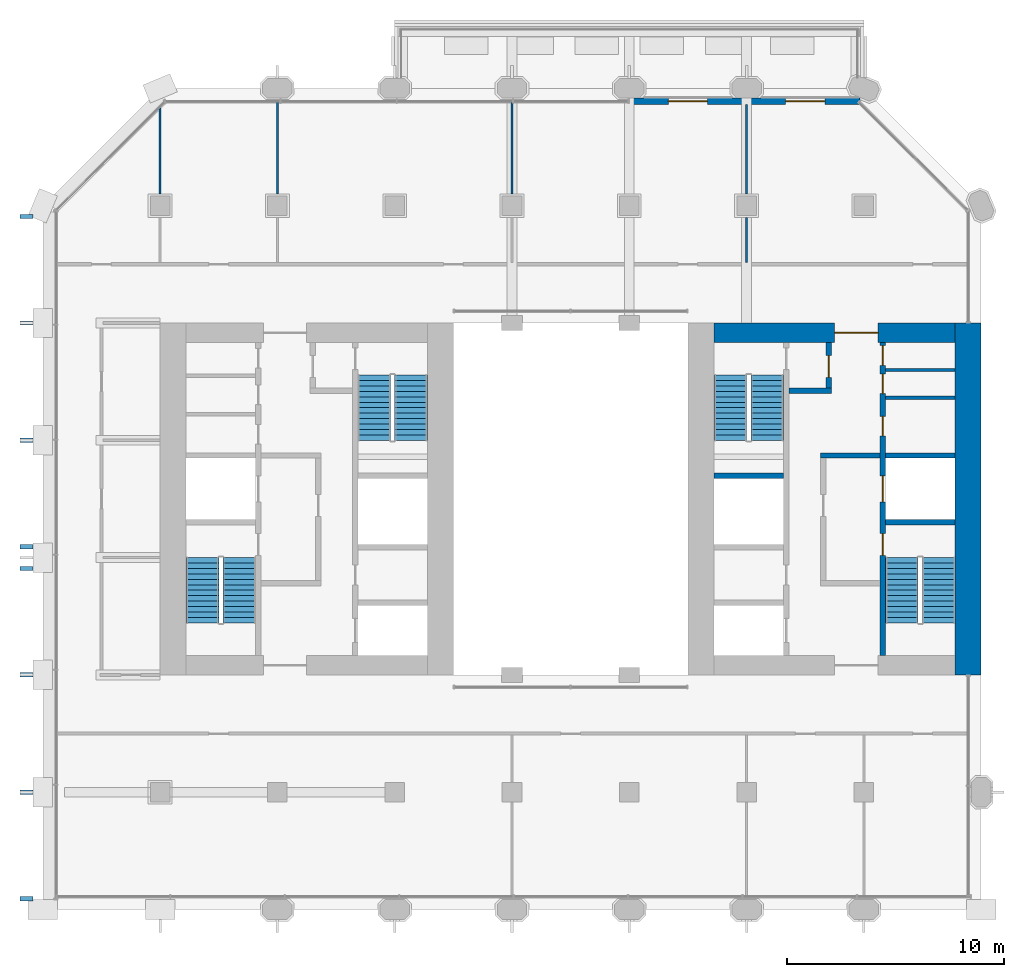
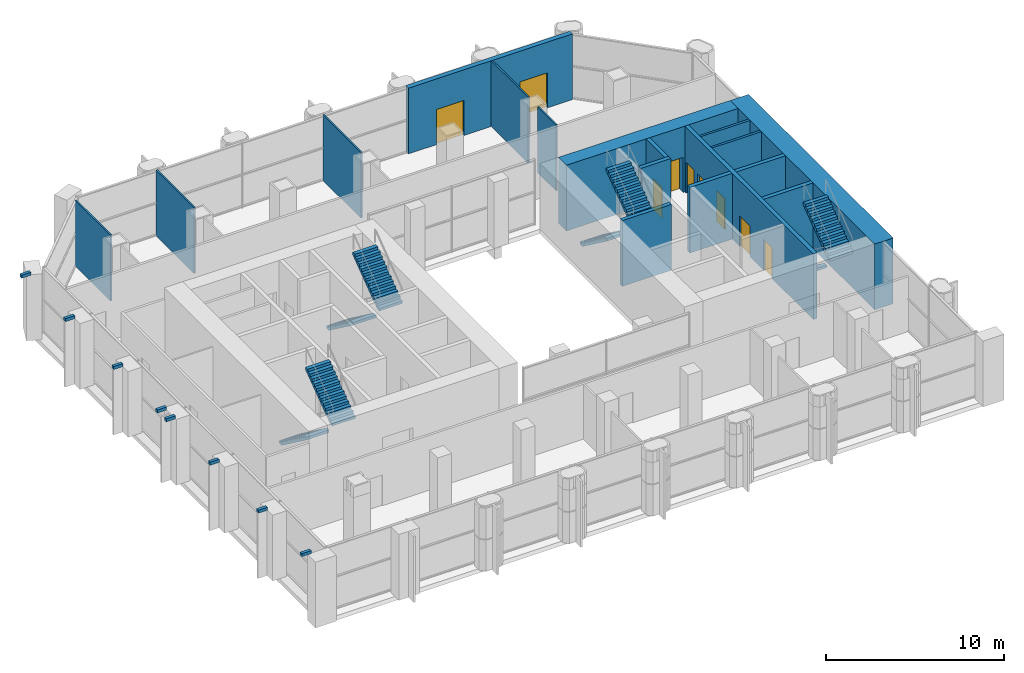
# One storey, part 12 of 15: 17 walls, 9 doors, 8 discrete accessories, 8 stair flights, 9 openings, 4 elements without a shape of their own.
"""IFC4 building model written with IfcOpenShell, lengths in metres."""

import ifcopenshell
import ifcopenshell.guid

model = None  # the IFC model being written
_history = None  # IfcOwnerHistory: only IFC2X3 demands one
_inside = {}  # id of a spatial element -> (the spatial element, [elements in it])
_under = {}  # id of a project, library or spatial element -> (it, [spatial elements below it])
_declared = {}  # id of a project -> (the project, [libraries it declares])
_typed = {}  # id of a type object -> (the type object, [elements of that type])
_made_of = {}  # id of a material, layer set ... -> (it, [elements and type objects made of it])


def new_model(schema):
    """Start an empty IFC model of exactly this schema.

    Asked for "IFC4X3", IfcOpenShell would pick the latest addendum, in which some entities
    have other attributes; the version numbers below select the first issue.
    IFC2X3 requires an IfcOwnerHistory on every rooted entity: one is made here for all.
    """
    global model, _history
    if schema == "IFC4X3":
        model = ifcopenshell.file(schema_version=(4, 3, 0, 0))
    else:
        model = ifcopenshell.file(schema=schema)
    _inside.clear()
    _under.clear()
    _declared.clear()
    _typed.clear()
    _made_of.clear()
    _history = None
    if model.schema == "IFC2X3":
        org = make("IfcOrganization", Name="unknown")
        user = make(
            "IfcPersonAndOrganization",
            ThePerson=make("IfcPerson", FamilyName="unknown"),
            TheOrganization=org,
        )
        app = make(
            "IfcApplication",
            ApplicationDeveloper=org,
            Version="unknown",
            ApplicationFullName="unknown",
            ApplicationIdentifier="unknown",
        )
        _history = make(
            "IfcOwnerHistory",
            OwningUser=user,
            OwningApplication=app,
            ChangeAction="ADDED",
            CreationDate=0,
        )
    return model


def make(cls, **values):
    """One entity of the class cls with the attributes given. An attribute that is None is left unset."""
    return model.create_entity(
        cls, **{name: value for name, value in values.items() if value is not None}
    )


def rooted(cls, **values):
    """An entity with a GlobalId (a new one), such as an element, a storey or a relation."""
    return make(cls, GlobalId=ifcopenshell.guid.new(), OwnerHistory=_history, **values)


def si_unit(unit_type, name, prefix=None):
    """IfcSIUnit, for example si_unit("LENGTHUNIT", "METRE", prefix="MILLI")."""
    return make("IfcSIUnit", UnitType=unit_type, Prefix=prefix, Name=name)


def assignment(units):
    """IfcUnitAssignment: the units of a project."""
    return None if units is None else make("IfcUnitAssignment", Units=units)


def point(xyz):
    """IfcCartesianPoint."""
    return None if xyz is None else make("IfcCartesianPoint", Coordinates=xyz)


def direction(xyz):
    """IfcDirection."""
    return None if xyz is None else make("IfcDirection", DirectionRatios=xyz)


def frame(location, z_axis=None, x_axis=None):
    """IfcAxis2Placement3D, a coordinate frame: its origin and axes. An axis left out is left unset."""
    return make(
        "IfcAxis2Placement3D",
        Location=point(location),
        Axis=direction(z_axis),
        RefDirection=direction(x_axis),
    )


def frame_2d(location, x_axis=None):
    """IfcAxis2Placement2D, a coordinate frame in the plane: its origin and x axis."""
    return make(
        "IfcAxis2Placement2D", Location=point(location), RefDirection=direction(x_axis)
    )


def origin():
    """The frame at (0, 0, 0) with its axes left unset."""
    return frame((0.0, 0.0, 0.0))


def origin_2d():
    """The frame at (0, 0) in the plane with its x axis left unset."""
    return frame_2d((0.0, 0.0))


def place(relative_to, where):
    """IfcLocalPlacement: puts the frame where relative to a parent placement (None: the world)."""
    return make(
        "IfcLocalPlacement", PlacementRelTo=relative_to, RelativePlacement=where
    )


def context(
    kind, dimensions, precision=None, world=None, true_north=None, identifier=None
):
    """IfcGeometricRepresentationContext, for example the 3D "Model" context."""
    return make(
        "IfcGeometricRepresentationContext",
        ContextIdentifier=identifier,
        ContextType=kind,
        CoordinateSpaceDimension=dimensions,
        Precision=precision,
        WorldCoordinateSystem=world,
        TrueNorth=true_north,
    )


def subcontext(parent, identifier, kind, view, scale=None):
    """IfcGeometricRepresentationSubContext, for example "Body" below "Model"."""
    return make(
        "IfcGeometricRepresentationSubContext",
        ContextIdentifier=identifier,
        ContextType=kind,
        ParentContext=parent,
        TargetScale=scale,
        TargetView=view,
    )


def project(units=None, contexts=None):
    """IfcProject with its units and contexts."""
    return rooted(
        "IfcProject",
        Name="project",
        RepresentationContexts=contexts,
        UnitsInContext=assignment(units),
    )


def spatial(cls, under=None, at=None, **own):
    """A site, building, storey or space (cls), placed at a placement, below another one or the project."""
    s = rooted(cls, ObjectPlacement=at, **own)
    if under is not None:
        _under.setdefault(under.id(), (under, []))[1].append(s)
    return s


def polyline(points):
    """IfcPolyline through the points."""
    return make("IfcPolyline", Points=[point(p) for p in points])


def profile(cls, at=None, kind="AREA", **sizes):
    """A parametric profile (cls). Its sizes go by their IFC names, for example OverallWidth=200.0."""
    return make(cls, ProfileType=kind, Position=at, **sizes)


def rectangle(**sizes):
    """IfcRectangleProfileDef."""
    return profile("IfcRectangleProfileDef", **sizes)


def outline(outer, holes=None, kind="AREA"):
    """IfcArbitraryClosedProfileDef: a profile drawn as a closed curve; with holes, ...WithVoids."""
    if holes is None:
        return make("IfcArbitraryClosedProfileDef", ProfileType=kind, OuterCurve=outer)
    return make(
        "IfcArbitraryProfileDefWithVoids",
        ProfileType=kind,
        OuterCurve=outer,
        InnerCurves=holes,
    )


def extrude(swept, where, along, depth):
    """IfcExtrudedAreaSolid: the profile swept, set in the frame where, extruded along a direction by depth."""
    return make(
        "IfcExtrudedAreaSolid",
        SweptArea=swept,
        Position=where,
        ExtrudedDirection=direction(along),
        Depth=depth,
    )


def shape(context_of_items, identifier, shape_type, items):
    """IfcShapeRepresentation: the items that make up one representation, for example the "Body"."""
    return make(
        "IfcShapeRepresentation",
        ContextOfItems=context_of_items,
        RepresentationIdentifier=identifier,
        RepresentationType=shape_type,
        Items=items,
    )


def material(Name=None, Category=None):
    """IfcMaterial."""
    return make("IfcMaterial", Name=Name, Category=Category)


def layer(
    of_material, thickness, ventilated=None, Name=None, Category=None, Priority=None
):
    """IfcMaterialLayer: one layer of a wall or slab, of a material (None: an air gap)."""
    return make(
        "IfcMaterialLayer",
        Material=of_material,
        LayerThickness=thickness,
        IsVentilated=ventilated,
        Name=Name,
        Category=Category,
        Priority=Priority,
    )


def layer_set(layers, Name=None):
    """IfcMaterialLayerSet."""
    return make("IfcMaterialLayerSet", MaterialLayers=layers, LayerSetName=Name)


def made_of(thing, what):
    """Note that an element or type object is made of a material, layer set ...; save() writes the relation."""
    if what is not None:
        _made_of.setdefault(what.id(), (what, []))[1].append(thing)
    return thing


def type_object(cls, material=None, **own):
    """A type object (cls), such as IfcWallType, which elements share."""
    return made_of(rooted(cls, **own), material)


def element(
    cls,
    number,
    at=None,
    inside=None,
    cuts=None,
    type_object=None,
    material=None,
    context=None,
    identifier="Body",
    shape_type=None,
    held_by="IfcProductDefinitionShape",
    body=None,
    shapes=None,
    **own,
):
    """One element of the class cls, such as IfcWall. Its Tag is "e" and its number.

    at: its placement. inside: the storey or other place that contains it. cuts: it is an
    opening in that element (IfcRelVoidsElement). A single representation is given by context,
    identifier, shape_type and body (its items); several are given by shapes. held_by: the class
    of the entity that holds the representations. save() writes the other relations.
    """
    e = rooted(cls, Tag="e%d" % number, ObjectPlacement=at, **own)
    if body is not None:
        shapes = [shape(context, identifier, shape_type, body)]
    if shapes is not None:
        e.Representation = make(held_by, Representations=shapes)
    if inside is not None:
        _inside.setdefault(inside.id(), (inside, []))[1].append(e)
    if cuts is not None:
        rooted(
            "IfcRelVoidsElement", RelatingBuildingElement=cuts, RelatedOpeningElement=e
        )
    if type_object is not None:
        _typed.setdefault(type_object.id(), (type_object, []))[1].append(e)
    return made_of(e, material)


def fill(opening, filler):
    """IfcRelFillsElement: the door or window that sits in an opening."""
    return rooted(
        "IfcRelFillsElement",
        RelatingOpeningElement=opening,
        RelatedBuildingElement=filler,
    )


def aggregate(whole, parts):
    """IfcRelAggregates: a whole, such as a stair, and the parts it consists of."""
    return rooted("IfcRelAggregates", RelatingObject=whole, RelatedObjects=parts)


def save(model, path):
    """Write the relations noted so far, then the file.

    IfcRelAggregates (storeys below a building ...), IfcRelContainedInSpatialStructure (elements
    in a storey), IfcRelDefinesByType, IfcRelAssociatesMaterial and IfcRelDeclares: one each for
    every whole, place, type object, material and project.
    """
    for whole, parts in _under.values():
        aggregate(whole, parts)
    for where, things in _inside.values():
        rooted(
            "IfcRelContainedInSpatialStructure",
            RelatedElements=things,
            RelatingStructure=where,
        )
    for kind, things in _typed.values():
        rooted("IfcRelDefinesByType", RelatedObjects=things, RelatingType=kind)
    for what, things in _made_of.values():
        rooted("IfcRelAssociatesMaterial", RelatedObjects=things, RelatingMaterial=what)
    for by, libraries in _declared.values():
        rooted("IfcRelDeclares", RelatingContext=by, RelatedDefinitions=libraries)
    model.write(path)


model = new_model("IFC4")

# Units and contexts
model_context = context("Model", 3, precision=1e-05, world=origin(), true_north=direction((0.0, 1.0)))
body_context = subcontext(model_context, "Body", "Model", "MODEL_VIEW")
ifc_project = project(units=[si_unit("LENGTHUNIT", "METRE"), si_unit("AREAUNIT", "SQUARE_METRE"), si_unit("VOLUMEUNIT", "CUBIC_METRE"), si_unit("PLANEANGLEUNIT", "RADIAN"), si_unit("MASSUNIT", "GRAM", prefix="KILO")], contexts=[model_context])

# Site, building, storey
site_placement = place(None, origin())
site = spatial("IfcSite", under=ifc_project, at=site_placement, CompositionType="ELEMENT")
building_placement = place(site_placement, origin())
building = spatial("IfcBuilding", under=site, at=building_placement, Name="Tabaq Tower and Sports Hall", CompositionType="ELEMENT")
storey_placement = place(building_placement, frame((0.0, 0.0, 148.0)))
storey = spatial("IfcBuildingStorey", under=building, at=storey_placement, Name="L34", CompositionType="ELEMENT", Elevation=148.0)

# Walls
ifc_material_1 = material(Name="Blockwork", Category="masonry")
ifc_layer_1 = layer(ifc_material_1, 0.14990234375)
ifc_layer_set_1 = layer_set([ifc_layer_1], Name="Core room partition 150 Blockwork")
wall_type_1 = type_object("IfcWallType", Name="Core room partition 150 Blockwork", PredefinedType="PARTITIONING", material=ifc_layer_set_1)
for number, where, z_axis, x_axis, name in (
    (1, (38.800048828125, 28.962890625, 0.0), (0.0, 0.0, 1.0), (1.0, 0.0, 0.0), "Core room partition E L34"),
    (2, (38.800048828125, 30.23193359375, 0.0), (0.0, 0.0, 1.0), (1.0, 0.0, 0.0), "Core room partition E L34"),
):
    element("IfcWall", number, at=place(storey_placement, frame(where, z_axis=z_axis, x_axis=x_axis)), inside=storey, type_object=wall_type_1, Name=name, PredefinedType="PARTITIONING", context=body_context, shape_type="SweptSolid", body=[
        extrude(rectangle(XDim=3.199951171875, YDim=0.14990234375, at=frame_2d((1.60009765625, 0.0))), origin(), (0.0, 0.0, 1.0), 4.5),
    ])
ifc_material_2 = material(Name="Concrete C50/60", Category="concrete")
ifc_layer_2 = layer(ifc_material_2, 1.199951171875)
ifc_layer_set_2 = layer_set([ifc_layer_2], Name="Core wall 1200 Concrete C50/60")
wall_type_2 = type_object("IfcWallType", Name="Core wall 1200 Concrete C50/60", PredefinedType="SOLIDWALL", material=ifc_layer_set_2)
wall_1_placement = place(storey_placement, frame((42.60009765625, 32.39990234375, 0.0), z_axis=(0.0, 0.0, 1.0), x_axis=(0.0, -1.0, 0.0)))
element("IfcWall", 3, at=wall_1_placement, inside=storey, type_object=wall_type_2, Name="Core wall E L34", PredefinedType="SOLIDWALL", context=body_context, shape_type="SweptSolid", body=[
    extrude(rectangle(XDim=16.199951171875, YDim=1.199951171875, at=frame_2d((8.10009765625, 0.0))), origin(), (0.0, 0.0, 1.0), 4.5),
])

# Wall, opening, door
ifc_material_3 = material(Name="Concrete C50/60", Category="concrete")
ifc_layer_3 = layer(ifc_material_3, 0.89990234375)
ifc_layer_set_3 = layer_set([ifc_layer_3], Name="Core wall 900 Concrete C50/60")
wall_type_3 = type_object("IfcWallType", Name="Core wall 900 Concrete C50/60", PredefinedType="SOLIDWALL", material=ifc_layer_set_3)
wall_2_placement = place(storey_placement, frame((30.89990234375, 31.949951171875, 0.0), z_axis=(0.0, 0.0, 1.0), x_axis=(1.0, 0.0, 0.0)))
wall_2 = element("IfcWall", 4, at=wall_2_placement, inside=storey, type_object=wall_type_3, Name="Core wall E L34", PredefinedType="SOLIDWALL", context=body_context, shape_type="SweptSolid", body=[
    extrude(rectangle(XDim=11.10009765625, YDim=0.89990234375, at=frame_2d((5.550048828125, 0.0))), origin(), (0.0, 0.0, 1.0), 4.5),
])
opening_1_placement = place(wall_2_placement, frame((5.550048828125, 0.0, 0.0)))
opening_1 = element("IfcOpeningElement", 5, at=opening_1_placement, cuts=wall_2, Name="Opening PD-EL34-02", PredefinedType="OPENING", context=body_context, shape_type="SweptSolid", body=[
    extrude(rectangle(XDim=2.0, YDim=2.39990234375, at=frame_2d((1.0, 1.199951171875))), frame((0.0, 0.449951171875, 0.0), z_axis=(0.0, -1.0, 0.0), x_axis=(1.0, 0.0, 0.0)), (0.0, 0.0, 1.0), 0.89990234375),
])
ifc_material_4 = material(Name="Steel fire door", Category="steel")
door_type_1 = type_object("IfcDoorType", Name="Core entrance door 2000", OperationType="DOUBLE_DOOR_SINGLE_SWING", PredefinedType="DOOR", material=ifc_material_4)
door_1_placement = place(opening_1_placement, origin())
door_1 = element("IfcDoor", 6, at=door_1_placement, inside=storey, type_object=door_type_1, Name="Core entrance north E L34", OperationType="DOUBLE_DOOR_SINGLE_SWING", OverallHeight=2.39990234375, OverallWidth=2.0, PredefinedType="DOOR", context=body_context, shape_type="SweptSolid", body=[
    extrude(rectangle(XDim=2.0, YDim=2.39990234375, at=frame_2d((1.0, 1.199951171875))), frame((0.0, 0.02490234375, 0.0), z_axis=(0.0, -1.0, 0.0), x_axis=(1.0, 0.0, 0.0)), (0.0, 0.0, 1.0), 0.050048828125),
])
fill(opening_1, door_1)

# Walls
ifc_material_5 = material(Name="Gypsum board on steel studs", Category="steel")
ifc_layer_4 = layer(ifc_material_5, 0.10009765625)
ifc_layer_set_4 = layer_set([ifc_layer_4], Name="Partition 100 Gypsum board")
wall_type_4 = type_object("IfcWallType", Name="Partition 100 Gypsum board", PredefinedType="PARTITIONING", material=ifc_layer_set_4)
wall_3_placement = place(storey_placement, frame((5.39990234375, 38.3505859375, 0.0), z_axis=(0.0, 0.0, 1.0), x_axis=(0.0, 1.0, 0.0)))
element("IfcWall", 7, at=wall_3_placement, inside=storey, type_object=wall_type_4, Name="Partition wall L34", PredefinedType="PARTITIONING", context=body_context, shape_type="SweptSolid", body=[
    extrude(rectangle(XDim=3.950927734375, YDim=0.10009765625, at=frame_2d((1.9755859375, 0.0))), origin(), (0.0, 0.0, 1.0), 4.5),
])
for number, where, z_axis, x_axis, name in (
    (8, (10.800048828125, 38.3505859375, 0.0), (0.0, 0.0, 1.0), (0.0, 1.0, 0.0), "Partition wall L34"),
    (9, (21.60009765625, 38.3505859375, 0.0), (0.0, 0.0, 1.0), (0.0, 1.0, 0.0), "Partition wall L34"),
):
    element("IfcWall", number, at=place(storey_placement, frame(where, z_axis=z_axis, x_axis=x_axis)), inside=storey, type_object=wall_type_4, Name=name, PredefinedType="PARTITIONING", context=body_context, shape_type="SweptSolid", body=[
        extrude(rectangle(XDim=4.24951171875, YDim=0.10009765625, at=frame_2d((2.124755859375, 0.0))), origin(), (0.0, 0.0, 1.0), 4.5),
    ])
wall_4_placement = place(storey_placement, frame((32.39990234375, 35.175048828125, 0.0), z_axis=(0.0, 0.0, 1.0), x_axis=(0.0, 1.0, 0.0)))
element("IfcWall", 10, at=wall_4_placement, inside=storey, type_object=wall_type_4, Name="Partition wall L34", PredefinedType="PARTITIONING", context=body_context, shape_type="SweptSolid", body=[
    extrude(rectangle(XDim=2.07421875, YDim=0.10009765625, at=frame_2d((1.037109375, 0.0))), origin(), (0.0, 0.0, 1.0), 4.5),
])
wall_5_placement = place(storey_placement, frame((32.39990234375, 38.3505859375, 0.0), z_axis=(0.0, 0.0, 1.0), x_axis=(0.0, 1.0, 0.0)))
element("IfcWall", 11, at=wall_5_placement, inside=storey, type_object=wall_type_4, Name="Partition wall L34", PredefinedType="PARTITIONING", context=body_context, shape_type="SweptSolid", body=[
    extrude(rectangle(XDim=4.098388671875, YDim=0.10009765625, at=frame_2d((2.04931640625, 0.0))), origin(), (0.0, 0.0, 1.0), 4.5),
])

# Wall, openings, doors
ifc_material_6 = material(Name="Concrete C40/50", Category="concrete")
ifc_layer_5 = layer(ifc_material_6, 0.25)
ifc_layer_set_5 = layer_set([ifc_layer_5], Name="Shaft and stair wall 250 Concrete C40/50")
wall_type_5 = type_object("IfcWallType", Name="Shaft and stair wall 250 Concrete C40/50", PredefinedType="SOLIDWALL", material=ifc_layer_set_5)
wall_6_placement = place(storey_placement, frame((38.675048828125, 17.10009765625, 0.0), z_axis=(0.0, 0.0, 1.0), x_axis=(0.0, 1.0, 0.0)))
wall_6 = element("IfcWall", 12, at=wall_6_placement, inside=storey, type_object=wall_type_5, Name="Shaft wall E L34", PredefinedType="SOLIDWALL", context=body_context, shape_type="SweptSolid", body=[
    extrude(rectangle(XDim=14.39990234375, YDim=0.25, at=frame_2d((7.199951171875, 0.0))), origin(), (0.0, 0.0, 1.0), 4.5),
])
opening_2_placement = place(wall_6_placement, frame((4.60009765625, 0.0, 0.0)))
opening_2 = element("IfcOpeningElement", 13, at=opening_2_placement, cuts=wall_6, Name="Opening SD-EL34-03", PredefinedType="OPENING", context=body_context, shape_type="SweptSolid", body=[
    extrude(rectangle(XDim=1.0, YDim=2.10009765625, at=frame_2d((0.5, 1.050048828125))), frame((0.0, 0.125, 0.0), z_axis=(0.0, -1.0, 0.0), x_axis=(1.0, 0.0, 0.0)), (0.0, 0.0, 1.0), 0.25),
])
opening_3_placement = place(wall_6_placement, frame((7.0625, 0.0, 0.0)))
opening_3 = element("IfcOpeningElement", 14, at=opening_3_placement, cuts=wall_6, Name="Opening LD-FF2-L34", PredefinedType="OPENING", context=body_context, shape_type="SweptSolid", body=[
    extrude(rectangle(XDim=1.199951171875, YDim=2.10009765625, at=frame_2d((0.60009765625, 1.050048828125))), frame((0.0, 0.125, 0.0), z_axis=(0.0, -1.0, 0.0), x_axis=(1.0, 0.0, 0.0)), (0.0, 0.0, 1.0), 0.25),
])
opening_4_placement = place(wall_6_placement, frame((10.1064453125, 0.0, 0.0)))
opening_4 = element("IfcOpeningElement", 15, at=opening_4_placement, cuts=wall_6, Name="Opening RD-EL34-09", PredefinedType="OPENING", context=body_context, shape_type="SweptSolid", body=[
    extrude(rectangle(XDim=0.89990234375, YDim=2.10009765625, at=frame_2d((0.449951171875, 1.050048828125))), frame((0.0, 0.125, 0.0), z_axis=(0.0, -1.0, 0.0), x_axis=(1.0, 0.0, 0.0)), (0.0, 0.0, 1.0), 0.25),
])
opening_5_placement = place(wall_6_placement, frame((12.047607421875, 0.0, 0.0)))
opening_5 = element("IfcOpeningElement", 16, at=opening_5_placement, cuts=wall_6, Name="Opening RD-EL34-10", PredefinedType="OPENING", context=body_context, shape_type="SweptSolid", body=[
    extrude(rectangle(XDim=0.89990234375, YDim=2.10009765625, at=frame_2d((0.449951171875, 1.050048828125))), frame((0.0, 0.125, 0.0), z_axis=(0.0, -1.0, 0.0), x_axis=(1.0, 0.0, 0.0)), (0.0, 0.0, 1.0), 0.25),
])
opening_6_placement = place(wall_6_placement, frame((13.353515625, 0.0, 0.0)))
opening_6 = element("IfcOpeningElement", 17, at=opening_6_placement, cuts=wall_6, Name="Opening RD-EL34-11", PredefinedType="OPENING", context=body_context, shape_type="SweptSolid", body=[
    extrude(rectangle(XDim=0.89990234375, YDim=2.10009765625, at=frame_2d((0.449951171875, 1.050048828125))), frame((0.0, 0.125, 0.0), z_axis=(0.0, -1.0, 0.0), x_axis=(1.0, 0.0, 0.0)), (0.0, 0.0, 1.0), 0.25),
])
ifc_material_7 = material(Name="Steel fire door", Category="steel")
door_type_2 = type_object("IfcDoorType", Name="Core room door 900", OperationType="SINGLE_SWING_LEFT", PredefinedType="DOOR", material=ifc_material_7)
door_2_placement = place(opening_4_placement, origin())
door_2 = element("IfcDoor", 18, at=door_2_placement, inside=storey, type_object=door_type_2, Name="Door Unisex WC E L34", OperationType="SINGLE_SWING_LEFT", OverallHeight=2.10009765625, OverallWidth=0.89990234375, PredefinedType="DOOR", context=body_context, shape_type="SweptSolid", body=[
    extrude(rectangle(XDim=0.89990234375, YDim=2.10009765625, at=frame_2d((0.449951171875, 1.050048828125))), frame((0.0, 0.02490234375, 0.0), z_axis=(0.0, -1.0, 0.0), x_axis=(1.0, 0.0, 0.0)), (0.0, 0.0, 1.0), 0.050048828125),
])
fill(opening_4, door_2)
door_3_placement = place(opening_5_placement, origin())
door_3 = element("IfcDoor", 19, at=door_3_placement, inside=storey, type_object=door_type_2, Name="Door Cleaner's Store E L34", OperationType="SINGLE_SWING_LEFT", OverallHeight=2.10009765625, OverallWidth=0.89990234375, PredefinedType="DOOR", context=body_context, shape_type="SweptSolid", body=[
    extrude(rectangle(XDim=0.89990234375, YDim=2.10009765625, at=frame_2d((0.449951171875, 1.050048828125))), frame((0.0, 0.02490234375, 0.0), z_axis=(0.0, -1.0, 0.0), x_axis=(1.0, 0.0, 0.0)), (0.0, 0.0, 1.0), 0.050048828125),
])
fill(opening_5, door_3)
door_4_placement = place(opening_6_placement, origin())
door_4 = element("IfcDoor", 20, at=door_4_placement, inside=storey, type_object=door_type_2, Name="Door Accessible WC E L34", OperationType="SINGLE_SWING_LEFT", OverallHeight=2.10009765625, OverallWidth=0.89990234375, PredefinedType="DOOR", context=body_context, shape_type="SweptSolid", body=[
    extrude(rectangle(XDim=0.89990234375, YDim=2.10009765625, at=frame_2d((0.449951171875, 1.050048828125))), frame((0.0, 0.02490234375, 0.0), z_axis=(0.0, -1.0, 0.0), x_axis=(1.0, 0.0, 0.0)), (0.0, 0.0, 1.0), 0.050048828125),
])
fill(opening_6, door_4)
ifc_material_8 = material(Name="Stainless steel", Category="steel")
door_type_3 = type_object("IfcDoorType", Name="Lift landing door 1200", OperationType="DOUBLE_DOOR_SLIDING", PredefinedType="DOOR", material=ifc_material_8)
door_5_placement = place(opening_3_placement, origin())
door_5 = element("IfcDoor", 21, at=door_5_placement, inside=storey, type_object=door_type_3, Name="Lift landing door FF2 E L34", OperationType="DOUBLE_DOOR_SLIDING", OverallHeight=2.10009765625, OverallWidth=1.199951171875, PredefinedType="DOOR", context=body_context, shape_type="SweptSolid", body=[
    extrude(rectangle(XDim=1.199951171875, YDim=2.10009765625, at=frame_2d((0.60009765625, 1.050048828125))), frame((0.0, 0.02490234375, 0.0), z_axis=(0.0, -1.0, 0.0), x_axis=(1.0, 0.0, 0.0)), (0.0, 0.0, 1.0), 0.050048828125),
])
fill(opening_3, door_5)
ifc_material_9 = material(Name="Steel fire door", Category="steel")
door_type_4 = type_object("IfcDoorType", Name="Stair door 1000", OperationType="SINGLE_SWING_LEFT", PredefinedType="DOOR", material=ifc_material_9)
door_6_placement = place(opening_2_placement, origin())
door_6 = element("IfcDoor", 22, at=door_6_placement, inside=storey, type_object=door_type_4, Name="Stair door ST3 E L34", OperationType="SINGLE_SWING_LEFT", OverallHeight=2.10009765625, OverallWidth=1.0, PredefinedType="DOOR", context=body_context, shape_type="SweptSolid", body=[
    extrude(rectangle(XDim=1.0, YDim=2.10009765625, at=frame_2d((0.5, 1.050048828125))), frame((0.0, 0.02490234375, 0.0), z_axis=(0.0, -1.0, 0.0), x_axis=(1.0, 0.0, 0.0)), (0.0, 0.0, 1.0), 0.050048828125),
])
fill(opening_2, door_6)

# Walls
wall_7_placement = place(storey_placement, frame((38.800048828125, 23.22509765625, 0.0), z_axis=(0.0, 0.0, 1.0), x_axis=(1.0, 0.0, 0.0)))
element("IfcWall", 23, at=wall_7_placement, inside=storey, type_object=wall_type_5, Name="Stair enclosure wall E L34", PredefinedType="SOLIDWALL", context=body_context, shape_type="SweptSolid", body=[
    extrude(rectangle(XDim=3.199951171875, YDim=0.25, at=frame_2d((1.60009765625, 0.0))), origin(), (0.0, 0.0, 1.0), 4.5),
])
wall_8_placement = place(storey_placement, frame((30.89990234375, 25.375, 0.0), z_axis=(0.0, 0.0, 1.0), x_axis=(1.0, 0.0, 0.0)))
element("IfcWall", 24, at=wall_8_placement, inside=storey, type_object=wall_type_5, Name="Stair enclosure wall E L34", PredefinedType="SOLIDWALL", context=body_context, shape_type="SweptSolid", body=[
    extrude(rectangle(XDim=3.2001953125, YDim=0.25, at=frame_2d((1.60009765625, 0.0))), origin(), (0.0, 0.0, 1.0), 4.5),
])
wall_9_placement = place(storey_placement, frame((38.800048828125, 26.300048828125, 0.0), z_axis=(0.0, 0.0, 1.0), x_axis=(1.0, 0.0, 0.0)))
element("IfcWall", 25, at=wall_9_placement, inside=storey, type_object=wall_type_5, Name="Shaft wall E L34", PredefinedType="SOLIDWALL", context=body_context, shape_type="SweptSolid", body=[
    extrude(rectangle(XDim=3.199951171875, YDim=0.25, at=frame_2d((1.60009765625, 0.0))), origin(), (0.0, 0.0, 1.0), 4.5),
])
wall_10_placement = place(storey_placement, frame((35.800048828125, 26.300048828125, 0.0), z_axis=(0.0, 0.0, 1.0), x_axis=(1.0, 0.0, 0.0)))
element("IfcWall", 26, at=wall_10_placement, inside=storey, type_object=wall_type_5, Name="Fire-fighting lobby wall E L34", PredefinedType="SOLIDWALL", context=body_context, shape_type="SweptSolid", body=[
    extrude(rectangle(XDim=2.75, YDim=0.25, at=frame_2d((1.375, 0.0))), origin(), (0.0, 0.0, 1.0), 4.5),
])

# Wall, opening, door
wall_11_placement = place(storey_placement, frame((36.175048828125, 29.39990234375, 0.0), z_axis=(0.0, 0.0, 1.0), x_axis=(0.0, 1.0, 0.0)))
wall_11 = element("IfcWall", 27, at=wall_11_placement, inside=storey, type_object=wall_type_5, Name="Fire-fighting lobby wall E L34", PredefinedType="SOLIDWALL", context=body_context, shape_type="SweptSolid", body=[
    extrude(rectangle(XDim=2.10009765625, YDim=0.25, at=frame_2d((1.050048828125, 0.0))), origin(), (0.0, 0.0, 1.0), 4.5),
])
opening_7_placement = place(wall_11_placement, frame((0.5, 0.0, 0.0)))
opening_7 = element("IfcOpeningElement", 28, at=opening_7_placement, cuts=wall_11, Name="Opening FD-EL34-06", PredefinedType="OPENING", context=body_context, shape_type="SweptSolid", body=[
    extrude(rectangle(XDim=1.0, YDim=2.10009765625, at=frame_2d((0.5, 1.050048828125))), frame((0.0, 0.125, 0.0), z_axis=(0.0, -1.0, 0.0), x_axis=(1.0, 0.0, 0.0)), (0.0, 0.0, 1.0), 0.25),
])
ifc_material_10 = material(Name="Steel fire door", Category="steel")
door_type_5 = type_object("IfcDoorType", Name="Fire-fighting lobby door 1000", OperationType="SINGLE_SWING_LEFT", PredefinedType="DOOR", material=ifc_material_10)
door_7_placement = place(opening_7_placement, origin())
door_7 = element("IfcDoor", 29, at=door_7_placement, inside=storey, type_object=door_type_5, Name="Stair lobby door E L34", OperationType="SINGLE_SWING_LEFT", OverallHeight=2.10009765625, OverallWidth=1.0, PredefinedType="DOOR", context=body_context, shape_type="SweptSolid", body=[
    extrude(rectangle(XDim=1.0, YDim=2.10009765625, at=frame_2d((0.5, 1.050048828125))), frame((0.0, 0.02490234375, 0.0), z_axis=(0.0, -1.0, 0.0), x_axis=(1.0, 0.0, 0.0)), (0.0, 0.0, 1.0), 0.050048828125),
])
fill(opening_7, door_7)

# Wall
wall_12_placement = place(storey_placement, frame((34.35009765625, 29.27490234375, 0.0), z_axis=(0.0, 0.0, 1.0), x_axis=(1.0, 0.0, 0.0)))
element("IfcWall", 30, at=wall_12_placement, inside=storey, type_object=wall_type_5, Name="Fire-fighting lobby wall E L34", PredefinedType="SOLIDWALL", context=body_context, shape_type="SweptSolid", body=[
    extrude(rectangle(XDim=1.949951171875, YDim=0.25, at=frame_2d((0.97509765625, 0.0))), origin(), (0.0, 0.0, 1.0), 4.5),
])

# Wall, openings, doors
ifc_material_11 = material(Name="White precast concrete C60/75", Category="concrete")
ifc_layer_6 = layer(ifc_material_11, 0.300048828125)
ifc_layer_set_6 = layer_set([ifc_layer_6], Name="White precast concrete C60/75 external wall 300")
wall_type_6 = type_object("IfcWallType", Name="White precast concrete C60/75 external wall 300", PredefinedType="SOLIDWALL", material=ifc_layer_set_6)
wall_13_placement = place(storey_placement, frame((37.613525390625, 42.60009765625, 0.0), z_axis=(0.0, 0.0, 1.0), x_axis=(-1.0, 0.0, 0.0)))
wall_13 = element("IfcWall", 31, at=wall_13_placement, inside=storey, type_object=wall_type_6, Name="External Wall L34 N", PredefinedType="SOLIDWALL", context=body_context, shape_type="SweptSolid", body=[
    extrude(rectangle(XDim=10.613525390625, YDim=0.300048828125, at=frame_2d((5.306640625, 0.0))), origin(), (0.0, 0.0, 1.0), 4.5),
])
opening_8_placement = place(wall_13_placement, frame((1.613525390625, 0.0, 0.0)))
opening_8 = element("IfcOpeningElement", 32, at=opening_8_placement, cuts=wall_13, Name="Opening TD3401", PredefinedType="OPENING", context=body_context, shape_type="SweptSolid", body=[
    extrude(rectangle(XDim=1.800048828125, YDim=2.39990234375, at=frame_2d((0.89990234375, 1.199951171875))), frame((0.0, 0.16015625, 0.0), z_axis=(0.0, -1.0, 0.0), x_axis=(1.0, 0.0, 0.0)), (0.0, 0.0, 1.0), 0.320068359375),
])
opening_9_placement = place(wall_13_placement, frame((7.013671875, 0.0, 0.0)))
opening_9 = element("IfcOpeningElement", 33, at=opening_9_placement, cuts=wall_13, Name="Opening TD3402", PredefinedType="OPENING", context=body_context, shape_type="SweptSolid", body=[
    extrude(rectangle(XDim=1.800048828125, YDim=2.39990234375, at=frame_2d((0.89990234375, 1.199951171875))), frame((0.0, 0.16015625, 0.0), z_axis=(0.0, -1.0, 0.0), x_axis=(1.0, 0.0, 0.0)), (0.0, 0.0, 1.0), 0.320068359375),
])
ifc_material_12 = material(Name="Aluminium framed clear glazing", Category="aluminium")
door_type_6 = type_object("IfcDoorType", Name="Terrace door TD1", OperationType="DOUBLE_DOOR_DOUBLE_SWING", PredefinedType="DOOR", material=ifc_material_12)
door_8_placement = place(opening_8_placement, origin())
door_8 = element("IfcDoor", 34, at=door_8_placement, inside=storey, type_object=door_type_6, Name="Terrace door TD3401", OperationType="DOUBLE_DOOR_DOUBLE_SWING", OverallHeight=2.39990234375, OverallWidth=1.800048828125, PredefinedType="DOOR", context=body_context, shape_type="SweptSolid", body=[
    extrude(rectangle(XDim=1.800048828125, YDim=2.39990234375, at=frame_2d((0.89990234375, 1.199951171875))), frame((0.0, 0.02490234375, 0.0), z_axis=(0.0, -1.0, 0.0), x_axis=(1.0, 0.0, 0.0)), (0.0, 0.0, 1.0), 0.050048828125),
])
fill(opening_8, door_8)
door_9_placement = place(opening_9_placement, origin())
door_9 = element("IfcDoor", 35, at=door_9_placement, inside=storey, type_object=door_type_6, Name="Terrace door TD3402", OperationType="DOUBLE_DOOR_DOUBLE_SWING", OverallHeight=2.39990234375, OverallWidth=1.800048828125, PredefinedType="DOOR", context=body_context, shape_type="SweptSolid", body=[
    extrude(rectangle(XDim=1.800048828125, YDim=2.39990234375, at=frame_2d((0.89990234375, 1.199951171875))), frame((0.0, 0.02490234375, 0.0), z_axis=(0.0, -1.0, 0.0), x_axis=(1.0, 0.0, 0.0)), (0.0, 0.0, 1.0), 0.050048828125),
])
fill(opening_9, door_9)

# Stair, stair flights
ifc_material_13 = material(Name="Concrete C40/50", Category="concrete")
stair_type = type_object("IfcStairType", Name="Exit stair", PredefinedType="HALF_TURN_STAIR", material=ifc_material_13)
stair_1_placement = place(storey_placement, origin())
stair_1 = element("IfcStair", 36, at=stair_1_placement, inside=storey, type_object=stair_type, Name="L34 Exit stair ST1", PredefinedType="HALF_TURN_STAIR")
ifc_material_14 = material(Name="Concrete C40/50", Category="concrete")
stair_flight_type = type_object("IfcStairFlightType", Name="Exit stair flight", PredefinedType="STRAIGHT", material=ifc_material_14)
stair_flight_1_placement = place(storey_placement, frame((7.35009765625, 21.60009765625, 0.0), z_axis=(0.0, 0.0, 1.0), x_axis=(0.0, -1.0, 0.0)))
stair_flight_1 = element("IfcStairFlight", 37, at=stair_flight_1_placement, type_object=stair_flight_type, Name="ST1 flight 1", NumberOfRisers=13, NumberOfTreads=12, PredefinedType="STRAIGHT", RiserHeight=0.184615385, TreadLength=0.25, context=body_context, shape_type="SweptSolid", body=[
    extrude(outline(polyline([(0.0, 0.0), (0.0, 0.1845703125), (0.25, 0.1845703125), (0.25, 0.369140625), (0.5, 0.369140625), (0.5, 0.553955078125), (0.75, 0.553955078125), (0.75, 0.738525390625), (1.0, 0.738525390625), (1.0, 0.923095703125), (1.25, 0.923095703125), (1.25, 1.107666015625), (1.5, 1.107666015625), (1.5, 1.292236328125), (1.75, 1.292236328125), (1.75, 1.476806640625), (2.0, 1.476806640625), (2.0, 1.66162109375), (2.25, 1.66162109375), (2.25, 1.84619140625), (2.5, 1.84619140625), (2.5, 2.03076171875), (2.75, 2.03076171875), (2.75, 2.21533203125), (3.0, 2.21533203125), (3.0, 2.39990234375), (3.0, 2.029052734375), (0.25244140625, 0.0), (0.0, 0.0)])), frame((0.0, 0.75, 0.0), z_axis=(0.0, -1.0, 0.0), x_axis=(1.0, 0.0, 0.0)), (0.0, 0.0, 1.0), 1.5),
])
stair_flight_2_placement = place(storey_placement, frame((9.050048828125, 18.60009765625, 2.39990234375), z_axis=(0.0, 0.0, 1.0), x_axis=(0.0, 1.0, 0.0)))
stair_flight_2 = element("IfcStairFlight", 38, at=stair_flight_2_placement, type_object=stair_flight_type, Name="ST1 flight 2", NumberOfRisers=13, NumberOfTreads=12, PredefinedType="STRAIGHT", RiserHeight=0.184615385, TreadLength=0.25, context=body_context, shape_type="SweptSolid", body=[
    extrude(outline(polyline([(0.0, 0.0), (0.0, 0.1845703125), (0.25, 0.1845703125), (0.25, 0.369140625), (0.5, 0.369140625), (0.5, 0.553955078125), (0.75, 0.553955078125), (0.75, 0.738525390625), (1.0, 0.738525390625), (1.0, 0.923095703125), (1.25, 0.923095703125), (1.25, 1.107666015625), (1.5, 1.107666015625), (1.5, 1.292236328125), (1.75, 1.292236328125), (1.75, 1.476806640625), (2.0, 1.476806640625), (2.0, 1.66162109375), (2.25, 1.66162109375), (2.25, 1.84619140625), (2.5, 1.84619140625), (2.5, 2.03076171875), (2.75, 2.03076171875), (2.75, 2.21533203125), (3.0, 2.21533203125), (3.0, 2.39990234375), (3.0, 2.029052734375), (0.25244140625, 0.0), (0.0, 0.0)])), frame((0.0, 0.75, 0.0), z_axis=(0.0, -1.0, 0.0), x_axis=(1.0, 0.0, 0.0)), (0.0, 0.0, 1.0), 1.5),
])
aggregate(stair_1, [stair_flight_1, stair_flight_2])

stair_2_placement = place(storey_placement, origin())
stair_2 = element("IfcStair", 39, at=stair_2_placement, inside=storey, type_object=stair_type, Name="L34 Exit stair ST2", PredefinedType="HALF_TURN_STAIR")
stair_flight_3_placement = place(storey_placement, frame((15.25, 30.0, 0.0), z_axis=(0.0, 0.0, 1.0), x_axis=(0.0, -1.0, 0.0)))
stair_flight_3 = element("IfcStairFlight", 40, at=stair_flight_3_placement, type_object=stair_flight_type, Name="ST2 flight 1", NumberOfRisers=13, NumberOfTreads=12, PredefinedType="STRAIGHT", RiserHeight=0.184615385, TreadLength=0.25, context=body_context, shape_type="SweptSolid", body=[
    extrude(outline(polyline([(0.0, 0.0), (0.0, 0.1845703125), (0.25, 0.1845703125), (0.25, 0.369140625), (0.5, 0.369140625), (0.5, 0.553955078125), (0.75, 0.553955078125), (0.75, 0.738525390625), (1.0, 0.738525390625), (1.0, 0.923095703125), (1.25, 0.923095703125), (1.25, 1.107666015625), (1.5, 1.107666015625), (1.5, 1.292236328125), (1.75, 1.292236328125), (1.75, 1.476806640625), (2.0, 1.476806640625), (2.0, 1.66162109375), (2.25, 1.66162109375), (2.25, 1.84619140625), (2.5, 1.84619140625), (2.5, 2.03076171875), (2.75, 2.03076171875), (2.75, 2.21533203125), (3.0, 2.21533203125), (3.0, 2.39990234375), (3.0, 2.029052734375), (0.25244140625, 0.0), (0.0, 0.0)])), frame((0.0, 0.75, 0.0), z_axis=(0.0, -1.0, 0.0), x_axis=(1.0, 0.0, 0.0)), (0.0, 0.0, 1.0), 1.5),
])
stair_flight_4_placement = place(storey_placement, frame((16.949951171875, 27.0, 2.39990234375), z_axis=(0.0, 0.0, 1.0), x_axis=(0.0, 1.0, 0.0)))
stair_flight_4 = element("IfcStairFlight", 41, at=stair_flight_4_placement, type_object=stair_flight_type, Name="ST2 flight 2", NumberOfRisers=13, NumberOfTreads=12, PredefinedType="STRAIGHT", RiserHeight=0.184615385, TreadLength=0.25, context=body_context, shape_type="SweptSolid", body=[
    extrude(outline(polyline([(0.0, 0.0), (0.0, 0.1845703125), (0.25, 0.1845703125), (0.25, 0.369140625), (0.5, 0.369140625), (0.5, 0.553955078125), (0.75, 0.553955078125), (0.75, 0.738525390625), (1.0, 0.738525390625), (1.0, 0.923095703125), (1.25, 0.923095703125), (1.25, 1.107666015625), (1.5, 1.107666015625), (1.5, 1.292236328125), (1.75, 1.292236328125), (1.75, 1.476806640625), (2.0, 1.476806640625), (2.0, 1.66162109375), (2.25, 1.66162109375), (2.25, 1.84619140625), (2.5, 1.84619140625), (2.5, 2.03076171875), (2.75, 2.03076171875), (2.75, 2.21533203125), (3.0, 2.21533203125), (3.0, 2.39990234375), (3.0, 2.029052734375), (0.25244140625, 0.0), (0.0, 0.0)])), frame((0.0, 0.75, 0.0), z_axis=(0.0, -1.0, 0.0), x_axis=(1.0, 0.0, 0.0)), (0.0, 0.0, 1.0), 1.5),
])
aggregate(stair_2, [stair_flight_3, stair_flight_4])

stair_3_placement = place(storey_placement, origin())
stair_3 = element("IfcStair", 42, at=stair_3_placement, inside=storey, type_object=stair_type, Name="L34 Exit stair ST3", PredefinedType="HALF_TURN_STAIR")
stair_flight_5_placement = place(storey_placement, frame((39.550048828125, 21.60009765625, 0.0), z_axis=(0.0, 0.0, 1.0), x_axis=(0.0, -1.0, 0.0)))
stair_flight_5 = element("IfcStairFlight", 43, at=stair_flight_5_placement, type_object=stair_flight_type, Name="ST3 flight 1", NumberOfRisers=13, NumberOfTreads=12, PredefinedType="STRAIGHT", RiserHeight=0.184615385, TreadLength=0.25, context=body_context, shape_type="SweptSolid", body=[
    extrude(outline(polyline([(0.0, 0.0), (0.0, 0.1845703125), (0.25, 0.1845703125), (0.25, 0.369140625), (0.5, 0.369140625), (0.5, 0.553955078125), (0.75, 0.553955078125), (0.75, 0.738525390625), (1.0, 0.738525390625), (1.0, 0.923095703125), (1.25, 0.923095703125), (1.25, 1.107666015625), (1.5, 1.107666015625), (1.5, 1.292236328125), (1.75, 1.292236328125), (1.75, 1.476806640625), (2.0, 1.476806640625), (2.0, 1.66162109375), (2.25, 1.66162109375), (2.25, 1.84619140625), (2.5, 1.84619140625), (2.5, 2.03076171875), (2.75, 2.03076171875), (2.75, 2.21533203125), (3.0, 2.21533203125), (3.0, 2.39990234375), (3.0, 2.029052734375), (0.25244140625, 0.0), (0.0, 0.0)])), frame((0.0, 0.75, 0.0), z_axis=(0.0, -1.0, 0.0), x_axis=(1.0, 0.0, 0.0)), (0.0, 0.0, 1.0), 1.5),
])
stair_flight_6_placement = place(storey_placement, frame((41.25, 18.60009765625, 2.39990234375), z_axis=(0.0, 0.0, 1.0), x_axis=(0.0, 1.0, 0.0)))
stair_flight_6 = element("IfcStairFlight", 44, at=stair_flight_6_placement, type_object=stair_flight_type, Name="ST3 flight 2", NumberOfRisers=13, NumberOfTreads=12, PredefinedType="STRAIGHT", RiserHeight=0.184615385, TreadLength=0.25, context=body_context, shape_type="SweptSolid", body=[
    extrude(outline(polyline([(0.0, 0.0), (0.0, 0.1845703125), (0.25, 0.1845703125), (0.25, 0.369140625), (0.5, 0.369140625), (0.5, 0.553955078125), (0.75, 0.553955078125), (0.75, 0.738525390625), (1.0, 0.738525390625), (1.0, 0.923095703125), (1.25, 0.923095703125), (1.25, 1.107666015625), (1.5, 1.107666015625), (1.5, 1.292236328125), (1.75, 1.292236328125), (1.75, 1.476806640625), (2.0, 1.476806640625), (2.0, 1.66162109375), (2.25, 1.66162109375), (2.25, 1.84619140625), (2.5, 1.84619140625), (2.5, 2.03076171875), (2.75, 2.03076171875), (2.75, 2.21533203125), (3.0, 2.21533203125), (3.0, 2.39990234375), (3.0, 2.029052734375), (0.25244140625, 0.0), (0.0, 0.0)])), frame((0.0, 0.75, 0.0), z_axis=(0.0, -1.0, 0.0), x_axis=(1.0, 0.0, 0.0)), (0.0, 0.0, 1.0), 1.5),
])
aggregate(stair_3, [stair_flight_5, stair_flight_6])

stair_4_placement = place(storey_placement, origin())
stair_4 = element("IfcStair", 45, at=stair_4_placement, inside=storey, type_object=stair_type, Name="L34 Exit stair ST4", PredefinedType="HALF_TURN_STAIR")
stair_flight_7_placement = place(storey_placement, frame((31.64990234375, 30.0, 0.0), z_axis=(0.0, 0.0, 1.0), x_axis=(0.0, -1.0, 0.0)))
stair_flight_7 = element("IfcStairFlight", 46, at=stair_flight_7_placement, type_object=stair_flight_type, Name="ST4 flight 1", NumberOfRisers=13, NumberOfTreads=12, PredefinedType="STRAIGHT", RiserHeight=0.184615385, TreadLength=0.25, context=body_context, shape_type="SweptSolid", body=[
    extrude(outline(polyline([(0.0, 0.0), (0.0, 0.1845703125), (0.25, 0.1845703125), (0.25, 0.369140625), (0.5, 0.369140625), (0.5, 0.553955078125), (0.75, 0.553955078125), (0.75, 0.738525390625), (1.0, 0.738525390625), (1.0, 0.923095703125), (1.25, 0.923095703125), (1.25, 1.107666015625), (1.5, 1.107666015625), (1.5, 1.292236328125), (1.75, 1.292236328125), (1.75, 1.476806640625), (2.0, 1.476806640625), (2.0, 1.66162109375), (2.25, 1.66162109375), (2.25, 1.84619140625), (2.5, 1.84619140625), (2.5, 2.03076171875), (2.75, 2.03076171875), (2.75, 2.21533203125), (3.0, 2.21533203125), (3.0, 2.39990234375), (3.0, 2.029052734375), (0.25244140625, 0.0), (0.0, 0.0)])), frame((0.0, 0.75, 0.0), z_axis=(0.0, -1.0, 0.0), x_axis=(1.0, 0.0, 0.0)), (0.0, 0.0, 1.0), 1.5),
])
stair_flight_8_placement = place(storey_placement, frame((33.35009765625, 27.0, 2.39990234375), z_axis=(0.0, 0.0, 1.0), x_axis=(0.0, 1.0, 0.0)))
stair_flight_8 = element("IfcStairFlight", 47, at=stair_flight_8_placement, type_object=stair_flight_type, Name="ST4 flight 2", NumberOfRisers=13, NumberOfTreads=12, PredefinedType="STRAIGHT", RiserHeight=0.184615385, TreadLength=0.25, context=body_context, shape_type="SweptSolid", body=[
    extrude(outline(polyline([(0.0, 0.0), (0.0, 0.1845703125), (0.25, 0.1845703125), (0.25, 0.369140625), (0.5, 0.369140625), (0.5, 0.553955078125), (0.75, 0.553955078125), (0.75, 0.738525390625), (1.0, 0.738525390625), (1.0, 0.923095703125), (1.25, 0.923095703125), (1.25, 1.107666015625), (1.5, 1.107666015625), (1.5, 1.292236328125), (1.75, 1.292236328125), (1.75, 1.476806640625), (2.0, 1.476806640625), (2.0, 1.66162109375), (2.25, 1.66162109375), (2.25, 1.84619140625), (2.5, 1.84619140625), (2.5, 2.03076171875), (2.75, 2.03076171875), (2.75, 2.21533203125), (3.0, 2.21533203125), (3.0, 2.39990234375), (3.0, 2.029052734375), (0.25244140625, 0.0), (0.0, 0.0)])), frame((0.0, 0.75, 0.0), z_axis=(0.0, -1.0, 0.0), x_axis=(1.0, 0.0, 0.0)), (0.0, 0.0, 1.0), 1.5),
])
aggregate(stair_4, [stair_flight_7, stair_flight_8])

# Discrete accessories
for number, where, z_axis, x_axis, name in (
    (48, (-0.75, 37.300048828125, 4.5), (0.0, 0.0, 1.0), (-1.0, 0.0, 0.0), "Stainless steel bracket"),
    (49, (-0.75, 32.39990234375, 4.5), (0.0, 0.0, 1.0), (-1.0, 0.0, 0.0), "Stainless steel bracket"),
    (50, (-0.75, 27.0, 4.5), (0.0, 0.0, 1.0), (-1.0, 0.0, 0.0), "Stainless steel bracket"),
    (51, (-0.75, 22.10009765625, 4.5), (0.0, 0.0, 1.0), (-1.0, 0.0, 0.0), "Stainless steel bracket"),
    (52, (-0.75, 21.10009765625, 4.5), (0.0, 0.0, 1.0), (-1.0, 0.0, 0.0), "Stainless steel bracket"),
    (53, (-0.75, 16.199951171875, 4.5), (0.0, 0.0, 1.0), (-1.0, 0.0, 0.0), "Stainless steel bracket"),
    (54, (-0.75, 10.800048828125, 4.5), (0.0, 0.0, 1.0), (-1.0, 0.0, 0.0), "Stainless steel bracket"),
    (55, (-0.75, 5.89990234375, 4.5), (0.0, 0.0, 1.0), (-1.0, 0.0, 0.0), "Stainless steel bracket"),
):
    element("IfcDiscreteAccessory", number, at=place(storey_placement, frame(where, z_axis=z_axis, x_axis=x_axis)), inside=storey, Name=name, PredefinedType="BRACKET", context=body_context, shape_type="SweptSolid", body=[
        extrude(rectangle(XDim=0.60009765625, YDim=0.199951171875, at=origin_2d()), origin(), (0.0, 0.0, 1.0), 0.199951171875),
    ])

save(model, "model.ifc")
